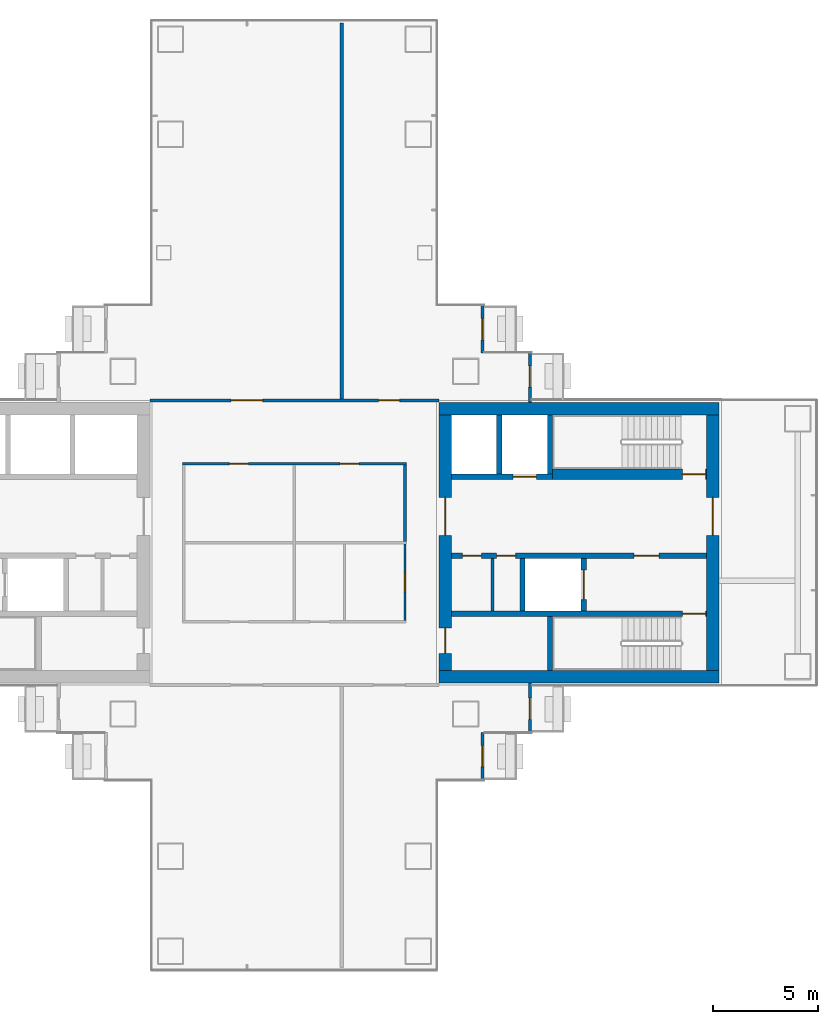
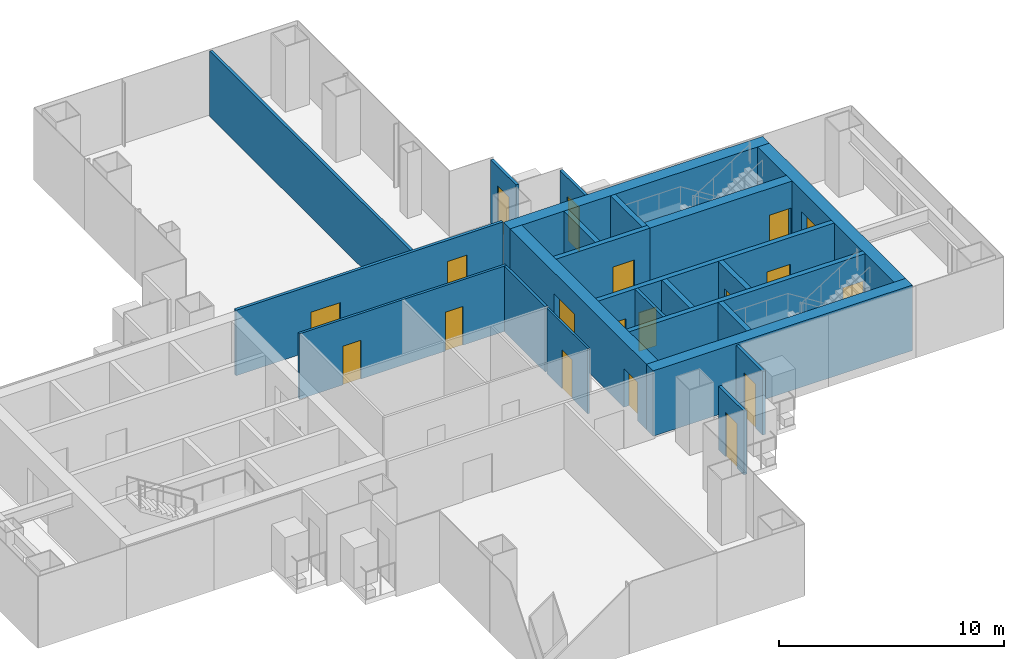
# One storey, part 14 of 19: 23 walls, 19 doors, 19 openings.
"""IFC4 building model written with IfcOpenShell, lengths in metres."""

from ifc_helpers import new_model, si_unit, direction, frame, frame_2d, origin, place, context, subcontext, project, spatial, rectangle, extrude, material, layer, layer_set, type_object, element, fill, save


model = new_model("IFC4")

# Units and contexts
model_context = context("Model", 3, precision=1e-05, world=origin(), true_north=direction((0.0, 1.0)))
body_context = subcontext(model_context, "Body", "Model", "MODEL_VIEW")
ifc_project = project(units=[si_unit("LENGTHUNIT", "METRE"), si_unit("AREAUNIT", "SQUARE_METRE"), si_unit("VOLUMEUNIT", "CUBIC_METRE"), si_unit("PLANEANGLEUNIT", "RADIAN"), si_unit("MASSUNIT", "GRAM", prefix="KILO")], contexts=[model_context])

# Site, building, storey
site_placement = place(None, origin())
site = spatial("IfcSite", under=ifc_project, at=site_placement, CompositionType="ELEMENT")
building_placement = place(site_placement, origin())
building = spatial("IfcBuilding", under=site, at=building_placement, Name="Shamsa Quay Exchange Towers", CompositionType="ELEMENT")
storey_placement = place(building_placement, frame((0.0, 0.0, 97.5)))
storey = spatial("IfcBuildingStorey", under=building, at=storey_placement, Name="L22", CompositionType="ELEMENT", Elevation=97.5)

# Wall, opening, door
ifc_material_1 = material(Name="Aluminium EN AW-6063 T6, black anodised, with black enamelled glass infill", Category="aluminium")
ifc_layer_1 = layer(ifc_material_1, 0.14990234375)
ifc_layer_set_1 = layer_set([ifc_layer_1], Name="BALCONY DOOR BAY WALL 150")
wall_type_1 = type_object("IfcWallType", Name="BALCONY DOOR BAY WALL 150", PredefinedType="SOLIDWALL", material=ifc_layer_set_1)
wall_1_placement = place(storey_placement, frame((42.675048828125, 11.25, 0.0), z_axis=(0.0, 0.0, 1.0), x_axis=(0.0, -1.0, 0.0)))
wall_1 = element("IfcWall", 1, at=wall_1_placement, inside=storey, type_object=wall_type_1, Name="Door bay T2-PKES L22", PredefinedType="SOLIDWALL", context=body_context, shape_type="SweptSolid", body=[
    extrude(rectangle(XDim=2.25, YDim=0.14990234375, at=frame_2d((1.125, 0.0))), origin(), (0.0, 0.0, 1.0), 3.449951171875),
])
opening_1_placement = place(wall_1_placement, frame((0.625, 0.0, 0.0)))
opening_1 = element("IfcOpeningElement", 2, at=opening_1_placement, cuts=wall_1, Name="Opening XD139", PredefinedType="OPENING", context=body_context, shape_type="SweptSolid", body=[
    extrude(rectangle(XDim=1.0, YDim=2.39990234375, at=frame_2d((0.5, 1.199951171875))), frame((0.0, 0.0849609375, 0.0), z_axis=(0.0, -1.0, 0.0), x_axis=(1.0, 0.0, 0.0)), (0.0, 0.0, 1.0), 0.169921875),
])
ifc_material_2 = material(Name="Aluminium EN AW-6063 T6, black anodised, with laminated glass leaf", Category="aluminium")
door_type_1 = type_object("IfcDoorType", Name="BALCONY DOOR 1000x2400", OperationType="SINGLE_SWING_LEFT", PredefinedType="DOOR", material=ifc_material_2)
door_1_placement = place(opening_1_placement, origin())
door_1 = element("IfcDoor", 3, at=door_1_placement, inside=storey, type_object=door_type_1, Name="Balcony door T2-PKES L22", OperationType="SINGLE_SWING_RIGHT", OverallHeight=2.39990234375, OverallWidth=1.0, PredefinedType="DOOR", context=body_context, shape_type="SweptSolid", body=[
    extrude(rectangle(XDim=1.0, YDim=2.39990234375, at=frame_2d((0.5, 1.199951171875))), frame((0.0, 0.02490234375, 0.0), z_axis=(0.0, -1.0, 0.0), x_axis=(1.0, 0.0, 0.0)), (0.0, 0.0, 1.0), 0.050048828125),
])
fill(opening_1, door_1)

wall_2_placement = place(storey_placement, frame((44.925048828125, 9.0, 0.0), z_axis=(0.0, 0.0, 1.0), x_axis=(0.0, -1.0, 0.0)))
wall_2 = element("IfcWall", 4, at=wall_2_placement, inside=storey, type_object=wall_type_1, Name="Door bay T2-PKES L22", PredefinedType="SOLIDWALL", context=body_context, shape_type="SweptSolid", body=[
    extrude(rectangle(XDim=2.35693359375, YDim=0.14990234375, at=frame_2d((1.178466796875, 0.0))), origin(), (0.0, 0.0, 1.0), 3.449951171875),
])
opening_2_placement = place(wall_2_placement, frame((0.625, 0.0, 0.0)))
opening_2 = element("IfcOpeningElement", 5, at=opening_2_placement, cuts=wall_2, Name="Opening XD140", PredefinedType="OPENING", context=body_context, shape_type="SweptSolid", body=[
    extrude(rectangle(XDim=1.0, YDim=2.39990234375, at=frame_2d((0.5, 1.199951171875))), frame((0.0, 0.0849609375, 0.0), z_axis=(0.0, -1.0, 0.0), x_axis=(1.0, 0.0, 0.0)), (0.0, 0.0, 1.0), 0.169921875),
])
door_2_placement = place(opening_2_placement, origin())
door_2 = element("IfcDoor", 6, at=door_2_placement, inside=storey, type_object=door_type_1, Name="Balcony door T2-PKES L22", OperationType="SINGLE_SWING_LEFT", OverallHeight=2.39990234375, OverallWidth=1.0, PredefinedType="DOOR", context=body_context, shape_type="SweptSolid", body=[
    extrude(rectangle(XDim=1.0, YDim=2.39990234375, at=frame_2d((0.5, 1.199951171875))), frame((0.0, 0.02490234375, 0.0), z_axis=(0.0, -1.0, 0.0), x_axis=(1.0, 0.0, 0.0)), (0.0, 0.0, 1.0), 0.050048828125),
])
fill(opening_2, door_2)

wall_3_placement = place(storey_placement, frame((42.675048828125, -9.0, 0.0), z_axis=(0.0, 0.0, 1.0), x_axis=(0.0, -1.0, 0.0)))
wall_3 = element("IfcWall", 7, at=wall_3_placement, inside=storey, type_object=wall_type_1, Name="Door bay T2-PKWS L22", PredefinedType="SOLIDWALL", context=body_context, shape_type="SweptSolid", body=[
    extrude(rectangle(XDim=2.25, YDim=0.14990234375, at=frame_2d((1.125, 0.0))), origin(), (0.0, 0.0, 1.0), 3.449951171875),
])
opening_3_placement = place(wall_3_placement, frame((0.625, 0.0, 0.0)))
opening_3 = element("IfcOpeningElement", 8, at=opening_3_placement, cuts=wall_3, Name="Opening XD143", PredefinedType="OPENING", context=body_context, shape_type="SweptSolid", body=[
    extrude(rectangle(XDim=1.0, YDim=2.39990234375, at=frame_2d((0.5, 1.199951171875))), frame((0.0, 0.0849609375, 0.0), z_axis=(0.0, -1.0, 0.0), x_axis=(1.0, 0.0, 0.0)), (0.0, 0.0, 1.0), 0.169921875),
])
door_3_placement = place(opening_3_placement, origin())
door_3 = element("IfcDoor", 9, at=door_3_placement, inside=storey, type_object=door_type_1, Name="Balcony door T2-PKWS L22", OperationType="SINGLE_SWING_LEFT", OverallHeight=2.39990234375, OverallWidth=1.0, PredefinedType="DOOR", context=body_context, shape_type="SweptSolid", body=[
    extrude(rectangle(XDim=1.0, YDim=2.39990234375, at=frame_2d((0.5, 1.199951171875))), frame((0.0, 0.02490234375, 0.0), z_axis=(0.0, -1.0, 0.0), x_axis=(1.0, 0.0, 0.0)), (0.0, 0.0, 1.0), 0.050048828125),
])
fill(opening_3, door_3)

wall_4_placement = place(storey_placement, frame((44.925048828125, -6.64306640625, 0.0), z_axis=(0.0, 0.0, 1.0), x_axis=(0.0, -1.0, 0.0)))
wall_4 = element("IfcWall", 10, at=wall_4_placement, inside=storey, type_object=wall_type_1, Name="Door bay T2-PKWS L22", PredefinedType="SOLIDWALL", context=body_context, shape_type="SweptSolid", body=[
    extrude(rectangle(XDim=2.35693359375, YDim=0.14990234375, at=frame_2d((1.178466796875, 0.0))), origin(), (0.0, 0.0, 1.0), 3.449951171875),
])
opening_4_placement = place(wall_4_placement, frame((0.73193359375, 0.0, 0.0)))
opening_4 = element("IfcOpeningElement", 11, at=opening_4_placement, cuts=wall_4, Name="Opening XD144", PredefinedType="OPENING", context=body_context, shape_type="SweptSolid", body=[
    extrude(rectangle(XDim=1.0, YDim=2.39990234375, at=frame_2d((0.5, 1.199951171875))), frame((0.0, 0.0849609375, 0.0), z_axis=(0.0, -1.0, 0.0), x_axis=(1.0, 0.0, 0.0)), (0.0, 0.0, 1.0), 0.169921875),
])
door_4_placement = place(opening_4_placement, origin())
door_4 = element("IfcDoor", 12, at=door_4_placement, inside=storey, type_object=door_type_1, Name="Balcony door T2-PKWS L22", OperationType="SINGLE_SWING_RIGHT", OverallHeight=2.39990234375, OverallWidth=1.0, PredefinedType="DOOR", context=body_context, shape_type="SweptSolid", body=[
    extrude(rectangle(XDim=1.0, YDim=2.39990234375, at=frame_2d((0.5, 1.199951171875))), frame((0.0, 0.02490234375, 0.0), z_axis=(0.0, -1.0, 0.0), x_axis=(1.0, 0.0, 0.0)), (0.0, 0.0, 1.0), 0.050048828125),
])
fill(opening_4, door_4)

# Walls
ifc_material_3 = material(Name="Concrete C70/85", Category="concrete")
ifc_layer_2 = layer(ifc_material_3, 0.60009765625)
ifc_layer_set_2 = layer_set([ifc_layer_2], Name="CORE WALL 600 C70/85")
wall_type_2 = type_object("IfcWallType", Name="CORE WALL 600 C70/85", PredefinedType="SHEAR", material=ifc_layer_set_2)
for number, where, z_axis, x_axis, name in (
    (13, (53.89990234375, -6.35009765625, 0.0), (0.0, 0.0, 1.0), (-1.0, 0.0, 0.0), "Core wall T2B-R09-PS"),
    (14, (53.89990234375, 6.35009765625, 0.0), (0.0, 0.0, 1.0), (-1.0, 0.0, 0.0), "Core wall T2B-R09-PN"),
):
    element("IfcWall", number, at=place(storey_placement, frame(where, z_axis=z_axis, x_axis=x_axis)), inside=storey, type_object=wall_type_2, Name=name, PredefinedType="SHEAR", context=body_context, shape_type="SweptSolid", body=[
        extrude(rectangle(XDim=13.2998046875, YDim=0.60009765625, at=frame_2d((6.64990234375, 0.0))), origin(), (0.0, 0.0, 1.0), 3.550048828125),
    ])

# Wall, opening, door
wall_5_placement = place(storey_placement, frame((53.60009765625, -6.050048828125, 0.0), z_axis=(0.0, 0.0, 1.0), x_axis=(0.0, 1.0, 0.0)))
wall_5 = element("IfcWall", 15, at=wall_5_placement, inside=storey, type_object=wall_type_2, Name="Core wall T2B-R09-PF", PredefinedType="SHEAR", context=body_context, shape_type="SweptSolid", body=[
    extrude(rectangle(XDim=12.10009765625, YDim=0.60009765625, at=frame_2d((6.050048828125, 0.0))), origin(), (0.0, 0.0, 1.0), 3.550048828125),
])
opening_5_placement = place(wall_5_placement, frame((6.39990234375, 0.0, 0.0)))
opening_5 = element("IfcOpeningElement", 16, at=opening_5_placement, cuts=wall_5, Name="Opening T2B-R09-LBD01", PredefinedType="OPENING", context=body_context, shape_type="SweptSolid", body=[
    extrude(rectangle(XDim=1.800048828125, YDim=2.39990234375, at=frame_2d((0.89990234375, 1.199951171875))), frame((0.0, 0.31005859375, 0.0), z_axis=(0.0, -1.0, 0.0), x_axis=(1.0, 0.0, 0.0)), (0.0, 0.0, 1.0), 0.6201171875),
])
ifc_material_4 = material(Name="Steel, fire rated", Category="steel")
door_type_2 = type_object("IfcDoorType", Name="LIFT LOBBY DOOR PAIR 1800", OperationType="DOUBLE_DOOR_SINGLE_SWING", PredefinedType="DOOR", material=ifc_material_4)
door_5_placement = place(opening_5_placement, origin())
door_5 = element("IfcDoor", 17, at=door_5_placement, inside=storey, type_object=door_type_2, Name="T2B-R09-LBD01", OperationType="DOUBLE_DOOR_SINGLE_SWING", OverallHeight=2.39990234375, OverallWidth=1.800048828125, PredefinedType="DOOR", context=body_context, shape_type="SweptSolid", body=[
    extrude(rectangle(XDim=1.800048828125, YDim=2.39990234375, at=frame_2d((0.89990234375, 1.199951171875))), frame((0.0, 0.02490234375, 0.0), z_axis=(0.0, -1.0, 0.0), x_axis=(1.0, 0.0, 0.0)), (0.0, 0.0, 1.0), 0.050048828125),
])
fill(opening_5, door_5)

# Wall, openings, doors
wall_6_placement = place(storey_placement, frame((40.89990234375, -6.050048828125, 0.0), z_axis=(0.0, 0.0, 1.0), x_axis=(0.0, 1.0, 0.0)))
wall_6 = element("IfcWall", 18, at=wall_6_placement, inside=storey, type_object=wall_type_2, Name="Core wall T2B-R09-PB", PredefinedType="SHEAR", context=body_context, shape_type="SweptSolid", body=[
    extrude(rectangle(XDim=12.10009765625, YDim=0.60009765625, at=frame_2d((6.050048828125, 0.0))), origin(), (0.0, 0.0, 1.0), 3.550048828125),
])
opening_6_placement = place(wall_6_placement, frame((0.800048828125, 0.0, 0.0)))
opening_6 = element("IfcOpeningElement", 19, at=opening_6_placement, cuts=wall_6, Name="Opening T2B-R09-RD02", PredefinedType="OPENING", context=body_context, shape_type="SweptSolid", body=[
    extrude(rectangle(XDim=1.199951171875, YDim=2.10009765625, at=frame_2d((0.60009765625, 1.050048828125))), frame((0.0, 0.31005859375, 0.0), z_axis=(0.0, -1.0, 0.0), x_axis=(1.0, 0.0, 0.0)), (0.0, 0.0, 1.0), 0.6201171875),
])
opening_7_placement = place(wall_6_placement, frame((6.39990234375, 0.0, 0.0)))
opening_7 = element("IfcOpeningElement", 20, at=opening_7_placement, cuts=wall_6, Name="Opening T2B-R09-LBD03", PredefinedType="OPENING", context=body_context, shape_type="SweptSolid", body=[
    extrude(rectangle(XDim=1.800048828125, YDim=2.39990234375, at=frame_2d((0.89990234375, 1.199951171875))), frame((0.0, 0.31005859375, 0.0), z_axis=(0.0, -1.0, 0.0), x_axis=(1.0, 0.0, 0.0)), (0.0, 0.0, 1.0), 0.6201171875),
])
door_6_placement = place(opening_7_placement, origin())
door_6 = element("IfcDoor", 21, at=door_6_placement, inside=storey, type_object=door_type_2, Name="T2B-R09-LBD03", OperationType="DOUBLE_DOOR_SINGLE_SWING", OverallHeight=2.39990234375, OverallWidth=1.800048828125, PredefinedType="DOOR", context=body_context, shape_type="SweptSolid", body=[
    extrude(rectangle(XDim=1.800048828125, YDim=2.39990234375, at=frame_2d((0.89990234375, 1.199951171875))), frame((0.0, 0.02490234375, 0.0), z_axis=(0.0, -1.0, 0.0), x_axis=(1.0, 0.0, 0.0)), (0.0, 0.0, 1.0), 0.050048828125),
])
fill(opening_7, door_6)
door_type_3 = type_object("IfcDoorType", Name="RISER ACCESS DOOR 1200", OperationType="SINGLE_SWING_LEFT", PredefinedType="DOOR", material=ifc_material_4)
door_7_placement = place(opening_6_placement, origin())
door_7 = element("IfcDoor", 22, at=door_7_placement, inside=storey, type_object=door_type_3, Name="T2B-R09-RD02", OperationType="SINGLE_SWING_LEFT", OverallHeight=2.10009765625, OverallWidth=1.199951171875, PredefinedType="DOOR", context=body_context, shape_type="SweptSolid", body=[
    extrude(rectangle(XDim=1.199951171875, YDim=2.10009765625, at=frame_2d((0.60009765625, 1.050048828125))), frame((0.0, 0.02490234375, 0.0), z_axis=(0.0, -1.0, 0.0), x_axis=(1.0, 0.0, 0.0)), (0.0, 0.0, 1.0), 0.050048828125),
])
fill(opening_6, door_7)

# Wall
ifc_material_5 = material(Name="Gypsum board on steel studs, EI 60", Category="steel")
ifc_layer_3 = layer(ifc_material_5, 0.14990234375)
ifc_layer_set_3 = layer_set([ifc_layer_3], Name="FIRE PARTITION 150")
wall_type_3 = type_object("IfcWallType", Name="FIRE PARTITION 150", PredefinedType="PARTITIONING", material=ifc_layer_set_3)
wall_7_placement = place(storey_placement, frame((43.14990234375, -3.25, 0.0), z_axis=(0.0, 0.0, 1.0), x_axis=(0.0, 1.0, 0.0)))
element("IfcWall", 23, at=wall_7_placement, inside=storey, type_object=wall_type_3, Name="Partition T2B-R09-EC0", PredefinedType="PARTITIONING", context=body_context, shape_type="SweptSolid", body=[
    extrude(rectangle(XDim=2.5, YDim=0.14990234375, at=frame_2d((1.25, 0.0))), origin(), (0.0, 0.0, 1.0), 3.550048828125),
])

# Wall, openings, doors
ifc_material_6 = material(Name="Laminated fire-resisting glass in a metal frame", Category="glass")
ifc_layer_4 = layer(ifc_material_6, 0.125)
ifc_layer_set_4 = layer_set([ifc_layer_4], Name="Glazed partition 125 mm EI 60")
wall_type_4 = type_object("IfcWallType", Name="Glazed partition 125 mm EI 60", PredefinedType="PARTITIONING", material=ifc_layer_set_4)
wall_8_placement = place(storey_placement, frame((39.0625, 3.75, 0.0), z_axis=(0.0, 0.0, 1.0), x_axis=(-1.0, 0.0, 0.0)))
wall_8 = element("IfcWall", 24, at=wall_8_placement, inside=storey, type_object=wall_type_4, Name="Partition T2-R09-W02", PredefinedType="PARTITIONING", context=body_context, shape_type="SweptSolid", body=[
    extrude(rectangle(XDim=10.625, YDim=0.125, at=frame_2d((5.3125, 0.0))), origin(), (0.0, 0.0, 1.0), 3.550048828125),
])
opening_8_placement = place(wall_8_placement, frame((7.487548828125, 0.0, 0.0)))
opening_8 = element("IfcOpeningElement", 25, at=opening_8_placement, cuts=wall_8, Name="Opening T2-R09-D06", PredefinedType="OPENING", context=body_context, shape_type="SweptSolid", body=[
    extrude(rectangle(XDim=0.89990234375, YDim=2.10009765625, at=frame_2d((0.449951171875, 1.050048828125))), frame((0.0, 0.072509765625, 0.0), z_axis=(0.0, -1.0, 0.0), x_axis=(1.0, 0.0, 0.0)), (0.0, 0.0, 1.0), 0.14501953125),
])
opening_9_placement = place(wall_8_placement, frame((2.237548828125, 0.0, 0.0)))
opening_9 = element("IfcOpeningElement", 26, at=opening_9_placement, cuts=wall_8, Name="Opening T2-R09-D07", PredefinedType="OPENING", context=body_context, shape_type="SweptSolid", body=[
    extrude(rectangle(XDim=0.89990234375, YDim=2.10009765625, at=frame_2d((0.449951171875, 1.050048828125))), frame((0.0, 0.072509765625, 0.0), z_axis=(0.0, -1.0, 0.0), x_axis=(1.0, 0.0, 0.0)), (0.0, 0.0, 1.0), 0.14501953125),
])
ifc_material_7 = material(Name="Timber door leaf in a metal frame", Category="wood")
door_type_4 = type_object("IfcDoorType", Name="Door 900x2100 FD30S", OperationType="NOTDEFINED", PredefinedType="DOOR", material=ifc_material_7)
door_8_placement = place(opening_8_placement, origin())
door_8 = element("IfcDoor", 27, at=door_8_placement, inside=storey, type_object=door_type_4, Name="Door T2-R09-D06", OperationType="SINGLE_SWING_LEFT", OverallHeight=2.10009765625, OverallWidth=0.89990234375, PredefinedType="DOOR", context=body_context, shape_type="SweptSolid", body=[
    extrude(rectangle(XDim=0.89990234375, YDim=2.10009765625, at=frame_2d((0.449951171875, 1.050048828125))), frame((0.0, 0.02490234375, 0.0), z_axis=(0.0, -1.0, 0.0), x_axis=(1.0, 0.0, 0.0)), (0.0, 0.0, 1.0), 0.050048828125),
])
fill(opening_8, door_8)
door_9_placement = place(opening_9_placement, origin())
door_9 = element("IfcDoor", 28, at=door_9_placement, inside=storey, type_object=door_type_4, Name="Door T2-R09-D07", OperationType="SINGLE_SWING_RIGHT", OverallHeight=2.10009765625, OverallWidth=0.89990234375, PredefinedType="DOOR", context=body_context, shape_type="SweptSolid", body=[
    extrude(rectangle(XDim=0.89990234375, YDim=2.10009765625, at=frame_2d((0.449951171875, 1.050048828125))), frame((0.0, 0.02490234375, 0.0), z_axis=(0.0, -1.0, 0.0), x_axis=(1.0, 0.0, 0.0)), (0.0, 0.0, 1.0), 0.050048828125),
])
fill(opening_9, door_9)

# Wall
wall_9_placement = place(storey_placement, frame((39.0, 0.0625, 0.0), z_axis=(0.0, 0.0, 1.0), x_axis=(0.0, 1.0, 0.0)))
element("IfcWall", 29, at=wall_9_placement, inside=storey, type_object=wall_type_4, Name="Partition T2-R09-W04", PredefinedType="PARTITIONING", context=body_context, shape_type="SweptSolid", body=[
    extrude(rectangle(XDim=3.625, YDim=0.125, at=frame_2d((1.8125, 0.0))), origin(), (0.0, 0.0, 1.0), 3.550048828125),
])

# Wall, opening, door
ifc_material_8 = material(Name="Gypsum board partition on metal studs")
ifc_layer_5 = layer(ifc_material_8, 0.10009765625)
ifc_layer_set_5 = layer_set([ifc_layer_5], Name="Partition 100 mm NOT RATED")
wall_type_5 = type_object("IfcWallType", Name="Partition 100 mm NOT RATED", PredefinedType="PARTITIONING", material=ifc_layer_set_5)
wall_10_placement = place(storey_placement, frame((39.0, -3.699951171875, 0.0), z_axis=(0.0, 0.0, 1.0), x_axis=(0.0, 1.0, 0.0)))
wall_10 = element("IfcWall", 30, at=wall_10_placement, inside=storey, type_object=wall_type_5, Name="Partition T2-R09-W05", PredefinedType="PARTITIONING", context=body_context, shape_type="SweptSolid", body=[
    extrude(rectangle(XDim=3.637451171875, YDim=0.10009765625, at=frame_2d((1.81884765625, 0.0))), origin(), (0.0, 0.0, 1.0), 3.550048828125),
])
opening_10_placement = place(wall_10_placement, frame((1.375, 0.0, 0.0)))
opening_10 = element("IfcOpeningElement", 31, at=opening_10_placement, cuts=wall_10, Name="Opening T2-R09-D04", PredefinedType="OPENING", context=body_context, shape_type="SweptSolid", body=[
    extrude(rectangle(XDim=0.89990234375, YDim=2.10009765625, at=frame_2d((0.449951171875, 1.050048828125))), frame((0.0, 0.06005859375, 0.0), z_axis=(0.0, -1.0, 0.0), x_axis=(1.0, 0.0, 0.0)), (0.0, 0.0, 1.0), 0.1201171875),
])
door_type_5 = type_object("IfcDoorType", Name="Door 900x2100 NOT RATED", OperationType="NOTDEFINED", PredefinedType="DOOR", material=ifc_material_7)
door_10_placement = place(opening_10_placement, origin())
door_10 = element("IfcDoor", 32, at=door_10_placement, inside=storey, type_object=door_type_5, Name="Door T2-R09-D04", OperationType="SINGLE_SWING_RIGHT", OverallHeight=2.10009765625, OverallWidth=0.89990234375, PredefinedType="DOOR", context=body_context, shape_type="SweptSolid", body=[
    extrude(rectangle(XDim=0.89990234375, YDim=2.10009765625, at=frame_2d((0.449951171875, 1.050048828125))), frame((0.0, 0.02490234375, 0.0), z_axis=(0.0, -1.0, 0.0), x_axis=(1.0, 0.0, 0.0)), (0.0, 0.0, 1.0), 0.050048828125),
])
fill(opening_10, door_10)

# Wall, openings, doors
ifc_layer_6 = layer(ifc_material_8, 0.14990234375)
ifc_layer_set_6 = layer_set([ifc_layer_6], Name="Partition 150 mm EI 60")
wall_type_6 = type_object("IfcWallType", Name="Partition 150 mm EI 60", PredefinedType="PARTITIONING", material=ifc_layer_set_6)
wall_11_placement = place(storey_placement, frame((26.89990234375, 6.75, 0.0)))
wall_11 = element("IfcWall", 33, at=wall_11_placement, inside=storey, type_object=wall_type_6, Name="Partition T2-R09-W07", PredefinedType="PARTITIONING", context=body_context, shape_type="SweptSolid", body=[
    extrude(rectangle(XDim=13.7001953125, YDim=0.14990234375, at=frame_2d((6.85009765625, 0.0))), origin(), (0.0, 0.0, 1.0), 3.550048828125),
])
opening_11_placement = place(wall_11_placement, frame((10.85009765625, 0.0, 0.0)))
opening_11 = element("IfcOpeningElement", 34, at=opening_11_placement, cuts=wall_11, Name="Opening T2-R09-D01", PredefinedType="OPENING", context=body_context, shape_type="SweptSolid", body=[
    extrude(rectangle(XDim=1.0, YDim=2.39990234375, at=frame_2d((0.5, 1.199951171875))), frame((0.0, 0.0849609375, 0.0), z_axis=(0.0, -1.0, 0.0), x_axis=(1.0, 0.0, 0.0)), (0.0, 0.0, 1.0), 0.169921875),
])
opening_12_placement = place(wall_11_placement, frame((3.85009765625, 0.0, 0.0)))
opening_12 = element("IfcOpeningElement", 35, at=opening_12_placement, cuts=wall_11, Name="Opening T2-R09-D02", PredefinedType="OPENING", context=body_context, shape_type="SweptSolid", body=[
    extrude(rectangle(XDim=1.5, YDim=2.10009765625, at=frame_2d((0.75, 1.050048828125))), frame((0.0, 0.0849609375, 0.0), z_axis=(0.0, -1.0, 0.0), x_axis=(1.0, 0.0, 0.0)), (0.0, 0.0, 1.0), 0.169921875),
])
door_type_6 = type_object("IfcDoorType", Name="Door 1000x2400 FD30S", OperationType="NOTDEFINED", PredefinedType="DOOR", material=ifc_material_7)
door_11_placement = place(opening_11_placement, origin())
door_11 = element("IfcDoor", 36, at=door_11_placement, inside=storey, type_object=door_type_6, Name="Door T2-R09-D01", OperationType="SINGLE_SWING_LEFT", OverallHeight=2.39990234375, OverallWidth=1.0, PredefinedType="DOOR", context=body_context, shape_type="SweptSolid", body=[
    extrude(rectangle(XDim=1.0, YDim=2.39990234375, at=frame_2d((0.5, 1.199951171875))), frame((0.0, 0.02490234375, 0.0), z_axis=(0.0, -1.0, 0.0), x_axis=(1.0, 0.0, 0.0)), (0.0, 0.0, 1.0), 0.050048828125),
])
fill(opening_11, door_11)
door_type_7 = type_object("IfcDoorType", Name="Door 1500x2100 FD30S pair", OperationType="NOTDEFINED", PredefinedType="DOOR", material=ifc_material_7)
door_12_placement = place(opening_12_placement, origin())
door_12 = element("IfcDoor", 37, at=door_12_placement, inside=storey, type_object=door_type_7, Name="Door T2-R09-D02", OperationType="DOUBLE_DOOR_SINGLE_SWING", OverallHeight=2.10009765625, OverallWidth=1.5, PredefinedType="DOOR", context=body_context, shape_type="SweptSolid", body=[
    extrude(rectangle(XDim=1.5, YDim=2.10009765625, at=frame_2d((0.75, 1.050048828125))), frame((0.0, 0.02490234375, 0.0), z_axis=(0.0, -1.0, 0.0), x_axis=(1.0, 0.0, 0.0)), (0.0, 0.0, 1.0), 0.050048828125),
])
fill(opening_12, door_12)

# Wall
wall_12_placement = place(storey_placement, frame((36.0, 24.655029296875, 0.0), z_axis=(0.0, 0.0, 1.0), x_axis=(0.0, -1.0, 0.0)))
element("IfcWall", 38, at=wall_12_placement, inside=storey, type_object=wall_type_6, Name="Partition T2-R09-W13", PredefinedType="PARTITIONING", context=body_context, shape_type="SweptSolid", body=[
    extrude(rectangle(XDim=17.830078125, YDim=0.14990234375, at=frame_2d((8.9150390625, 0.0))), origin(), (0.0, 0.0, 1.0), 3.550048828125),
])

# Wall, opening, door
ifc_material_9 = material(Name="Concrete C50/60", Category="concrete")
ifc_layer_7 = layer(ifc_material_9, 0.25)
ifc_layer_set_7 = layer_set([ifc_layer_7], Name="SHAFT WALL 250 C50/60")
wall_type_7 = type_object("IfcWallType", Name="SHAFT WALL 250 C50/60", PredefinedType="SHEAR", material=ifc_layer_set_7)
wall_13_placement = place(storey_placement, frame((53.300048828125, -3.375, 0.0), z_axis=(0.0, 0.0, 1.0), x_axis=(-1.0, 0.0, 0.0)))
wall_13 = element("IfcWall", 39, at=wall_13_placement, inside=storey, type_object=wall_type_7, Name="Shaft wall T2B-R09-STL", PredefinedType="SHEAR", context=body_context, shape_type="SweptSolid", body=[
    extrude(rectangle(XDim=12.10009765625, YDim=0.25, at=frame_2d((6.050048828125, 0.0))), origin(), (0.0, 0.0, 1.0), 3.550048828125),
])
opening_13_placement = place(wall_13_placement, frame((0.050048828125, 0.0, 0.0)))
opening_13 = element("IfcOpeningElement", 40, at=opening_13_placement, cuts=wall_13, Name="Opening T2B-R09-SD04", PredefinedType="OPENING", context=body_context, shape_type="SweptSolid", body=[
    extrude(rectangle(XDim=1.10009765625, YDim=2.10009765625, at=frame_2d((0.550048828125, 1.050048828125))), frame((0.0, 0.135009765625, 0.0), z_axis=(0.0, -1.0, 0.0), x_axis=(1.0, 0.0, 0.0)), (0.0, 0.0, 1.0), 0.27001953125),
])
door_type_8 = type_object("IfcDoorType", Name="STAIR DOOR 1100", OperationType="SINGLE_SWING_LEFT", PredefinedType="DOOR", material=ifc_material_4)
door_13_placement = place(opening_13_placement, origin())
door_13 = element("IfcDoor", 41, at=door_13_placement, inside=storey, type_object=door_type_8, Name="T2B-R09-SD04", OperationType="SINGLE_SWING_LEFT", OverallHeight=2.10009765625, OverallWidth=1.10009765625, PredefinedType="DOOR", context=body_context, shape_type="SweptSolid", body=[
    extrude(rectangle(XDim=1.10009765625, YDim=2.10009765625, at=frame_2d((0.550048828125, 1.050048828125))), frame((0.0, 0.02490234375, 0.0), z_axis=(0.0, -1.0, 0.0), x_axis=(1.0, 0.0, 0.0)), (0.0, 0.0, 1.0), 0.050048828125),
])
fill(opening_13, door_13)

# Wall
wall_14_placement = place(storey_placement, frame((45.875, -6.050048828125, 0.0), z_axis=(0.0, 0.0, 1.0), x_axis=(0.0, 1.0, 0.0)))
element("IfcWall", 42, at=wall_14_placement, inside=storey, type_object=wall_type_7, Name="Shaft wall T2B-R09-STF", PredefinedType="SHEAR", context=body_context, shape_type="SweptSolid", body=[
    extrude(rectangle(XDim=2.550048828125, YDim=0.25, at=frame_2d((1.27490234375, 0.0))), origin(), (0.0, 0.0, 1.0), 3.550048828125),
])

# Wall, openings, doors
wall_15_placement = place(storey_placement, frame((53.300048828125, -0.625, 0.0), z_axis=(0.0, 0.0, 1.0), x_axis=(-1.0, 0.0, 0.0)))
wall_15 = element("IfcWall", 43, at=wall_15_placement, inside=storey, type_object=wall_type_7, Name="Shaft wall T2B-R09-B", PredefinedType="SHEAR", context=body_context, shape_type="SweptSolid", body=[
    extrude(rectangle(XDim=12.10009765625, YDim=0.25, at=frame_2d((6.050048828125, 0.0))), origin(), (0.0, 0.0, 1.0), 3.550048828125),
])
opening_14_placement = place(wall_15_placement, frame((2.25, 0.0, 0.0)))
opening_14 = element("IfcOpeningElement", 44, at=opening_14_placement, cuts=wall_15, Name="Opening T2B-R09-FD05", PredefinedType="OPENING", context=body_context, shape_type="SweptSolid", body=[
    extrude(rectangle(XDim=1.199951171875, YDim=2.10009765625, at=frame_2d((0.60009765625, 1.050048828125))), frame((0.0, 0.135009765625, 0.0), z_axis=(0.0, -1.0, 0.0), x_axis=(1.0, 0.0, 0.0)), (0.0, 0.0, 1.0), 0.27001953125),
])
opening_15_placement = place(wall_15_placement, frame((9.050048828125, 0.0, 0.0)))
opening_15 = element("IfcOpeningElement", 45, at=opening_15_placement, cuts=wall_15, Name="Opening T2B-R09-SV06", PredefinedType="OPENING", context=body_context, shape_type="SweptSolid", body=[
    extrude(rectangle(XDim=0.89990234375, YDim=2.10009765625, at=frame_2d((0.449951171875, 1.050048828125))), frame((0.0, 0.135009765625, 0.0), z_axis=(0.0, -1.0, 0.0), x_axis=(1.0, 0.0, 0.0)), (0.0, 0.0, 1.0), 0.27001953125),
])
opening_16_placement = place(wall_15_placement, frame((10.675048828125, 0.0, 0.0)))
opening_16 = element("IfcOpeningElement", 46, at=opening_16_placement, cuts=wall_15, Name="Opening T2B-R09-SV07", PredefinedType="OPENING", context=body_context, shape_type="SweptSolid", body=[
    extrude(rectangle(XDim=0.89990234375, YDim=2.10009765625, at=frame_2d((0.449951171875, 1.050048828125))), frame((0.0, 0.135009765625, 0.0), z_axis=(0.0, -1.0, 0.0), x_axis=(1.0, 0.0, 0.0)), (0.0, 0.0, 1.0), 0.27001953125),
])
door_type_9 = type_object("IfcDoorType", Name="FIRE SERVICE LOBBY DOOR 1200", OperationType="SINGLE_SWING_LEFT", PredefinedType="DOOR", material=ifc_material_4)
door_14_placement = place(opening_14_placement, origin())
door_14 = element("IfcDoor", 47, at=door_14_placement, inside=storey, type_object=door_type_9, Name="T2B-R09-FD05", OperationType="SINGLE_SWING_LEFT", OverallHeight=2.10009765625, OverallWidth=1.199951171875, PredefinedType="DOOR", context=body_context, shape_type="SweptSolid", body=[
    extrude(rectangle(XDim=1.199951171875, YDim=2.10009765625, at=frame_2d((0.60009765625, 1.050048828125))), frame((0.0, 0.02490234375, 0.0), z_axis=(0.0, -1.0, 0.0), x_axis=(1.0, 0.0, 0.0)), (0.0, 0.0, 1.0), 0.050048828125),
])
fill(opening_14, door_14)
door_type_10 = type_object("IfcDoorType", Name="SERVICE ROOM DOOR 900", OperationType="SINGLE_SWING_LEFT", PredefinedType="DOOR", material=ifc_material_4)
door_15_placement = place(opening_15_placement, origin())
door_15 = element("IfcDoor", 48, at=door_15_placement, inside=storey, type_object=door_type_10, Name="T2B-R09-SV06", OperationType="SINGLE_SWING_RIGHT", OverallHeight=2.10009765625, OverallWidth=0.89990234375, PredefinedType="DOOR", context=body_context, shape_type="SweptSolid", body=[
    extrude(rectangle(XDim=0.89990234375, YDim=2.10009765625, at=frame_2d((0.449951171875, 1.050048828125))), frame((0.0, 0.02490234375, 0.0), z_axis=(0.0, -1.0, 0.0), x_axis=(1.0, 0.0, 0.0)), (0.0, 0.0, 1.0), 0.050048828125),
])
fill(opening_15, door_15)
door_16_placement = place(opening_16_placement, origin())
door_16 = element("IfcDoor", 49, at=door_16_placement, inside=storey, type_object=door_type_10, Name="T2B-R09-SV07", OperationType="SINGLE_SWING_RIGHT", OverallHeight=2.10009765625, OverallWidth=0.89990234375, PredefinedType="DOOR", context=body_context, shape_type="SweptSolid", body=[
    extrude(rectangle(XDim=0.89990234375, YDim=2.10009765625, at=frame_2d((0.449951171875, 1.050048828125))), frame((0.0, 0.02490234375, 0.0), z_axis=(0.0, -1.0, 0.0), x_axis=(1.0, 0.0, 0.0)), (0.0, 0.0, 1.0), 0.050048828125),
])
fill(opening_16, door_16)

# Wall, opening, door
wall_16_placement = place(storey_placement, frame((47.47509765625, -3.25, 0.0), z_axis=(0.0, 0.0, 1.0), x_axis=(0.0, 1.0, 0.0)))
wall_16 = element("IfcWall", 50, at=wall_16_placement, inside=storey, type_object=wall_type_7, Name="Shaft wall T2B-R09-FFF", PredefinedType="SHEAR", context=body_context, shape_type="SweptSolid", body=[
    extrude(rectangle(XDim=2.5, YDim=0.25, at=frame_2d((1.25, 0.0))), origin(), (0.0, 0.0, 1.0), 3.550048828125),
])
opening_17_placement = place(wall_16_placement, frame((0.550048828125, 0.0, 0.0)))
opening_17 = element("IfcOpeningElement", 51, at=opening_17_placement, cuts=wall_16, Name="Opening T2B-R09-LDG08", PredefinedType="OPENING", context=body_context, shape_type="SweptSolid", body=[
    extrude(rectangle(XDim=1.39990234375, YDim=2.39990234375, at=frame_2d((0.699951171875, 1.199951171875))), frame((0.0, 0.135009765625, 0.0), z_axis=(0.0, -1.0, 0.0), x_axis=(1.0, 0.0, 0.0)), (0.0, 0.0, 1.0), 0.27001953125),
])
door_type_11 = type_object("IfcDoorType", Name="GOODS LIFT LANDING DOOR 1400", OperationType="SLIDING_TO_LEFT", PredefinedType="DOOR", material=ifc_material_4)
door_17_placement = place(opening_17_placement, origin())
door_17 = element("IfcDoor", 52, at=door_17_placement, inside=storey, type_object=door_type_11, Name="T2B-R09-LDG08", OperationType="SLIDING_TO_LEFT", OverallHeight=2.39990234375, OverallWidth=1.39990234375, PredefinedType="DOOR", context=body_context, shape_type="SweptSolid", body=[
    extrude(rectangle(XDim=1.39990234375, YDim=2.39990234375, at=frame_2d((0.699951171875, 1.199951171875))), frame((0.0, 0.02490234375, 0.0), z_axis=(0.0, -1.0, 0.0), x_axis=(1.0, 0.0, 0.0)), (0.0, 0.0, 1.0), 0.050048828125),
])
fill(opening_17, door_17)

# Wall
wall_17_placement = place(storey_placement, frame((44.574951171875, -3.25, 0.0), z_axis=(0.0, 0.0, 1.0), x_axis=(0.0, 1.0, 0.0)))
element("IfcWall", 53, at=wall_17_placement, inside=storey, type_object=wall_type_7, Name="Shaft wall T2B-R09-FFB", PredefinedType="SHEAR", context=body_context, shape_type="SweptSolid", body=[
    extrude(rectangle(XDim=2.5, YDim=0.25, at=frame_2d((1.25, 0.0))), origin(), (0.0, 0.0, 1.0), 3.550048828125),
])

# Wall, opening, door
wall_18_placement = place(storey_placement, frame((46.0, 3.125, 0.0), z_axis=(0.0, 0.0, 1.0), x_axis=(-1.0, 0.0, 0.0)))
wall_18 = element("IfcWall", 54, at=wall_18_placement, inside=storey, type_object=wall_type_7, Name="Shaft wall T2B-R09-N2", PredefinedType="SHEAR", context=body_context, shape_type="SweptSolid", body=[
    extrude(rectangle(XDim=4.800048828125, YDim=0.25, at=frame_2d((2.39990234375, 0.0))), origin(), (0.0, 0.0, 1.0), 3.550048828125),
])
opening_18_placement = place(wall_18_placement, frame((0.77490234375, 0.0, 0.0)))
opening_18 = element("IfcOpeningElement", 55, at=opening_18_placement, cuts=wall_18, Name="Opening T2B-R09-LD10", PredefinedType="OPENING", context=body_context, shape_type="SweptSolid", body=[
    extrude(rectangle(XDim=1.10009765625, YDim=2.10009765625, at=frame_2d((0.550048828125, 1.050048828125))), frame((0.0, 0.135009765625, 0.0), z_axis=(0.0, -1.0, 0.0), x_axis=(1.0, 0.0, 0.0)), (0.0, 0.0, 1.0), 0.27001953125),
])
door_type_12 = type_object("IfcDoorType", Name="LANDING DOOR 1100", OperationType="SLIDING_TO_LEFT", PredefinedType="DOOR", material=ifc_material_4)
door_18_placement = place(opening_18_placement, origin())
door_18 = element("IfcDoor", 56, at=door_18_placement, inside=storey, type_object=door_type_12, Name="T2B-R09-LD10", OperationType="SLIDING_TO_LEFT", OverallHeight=2.10009765625, OverallWidth=1.10009765625, PredefinedType="DOOR", context=body_context, shape_type="SweptSolid", body=[
    extrude(rectangle(XDim=1.10009765625, YDim=2.10009765625, at=frame_2d((0.550048828125, 1.050048828125))), frame((0.0, 0.02490234375, 0.0), z_axis=(0.0, -1.0, 0.0), x_axis=(1.0, 0.0, 0.0)), (0.0, 0.0, 1.0), 0.050048828125),
])
fill(opening_18, door_18)

# Walls
for number, where, z_axis, x_axis, name in (
    (57, (45.875, 3.25, 0.0), (0.0, 0.0, 1.0), (0.0, 1.0, 0.0), "Shaft wall T2B-R09-STF2"),
    (58, (43.47509765625, 3.25, 0.0), (0.0, 0.0, 1.0), (0.0, 1.0, 0.0), "Shaft wall T2B-R09-D0"),
):
    element("IfcWall", number, at=place(storey_placement, frame(where, z_axis=z_axis, x_axis=x_axis)), inside=storey, type_object=wall_type_7, Name=name, PredefinedType="SHEAR", context=body_context, shape_type="SweptSolid", body=[
        extrude(rectangle(XDim=2.800048828125, YDim=0.25, at=frame_2d((1.39990234375, 0.0))), origin(), (0.0, 0.0, 1.0), 3.550048828125),
    ])

# Wall, opening, door
ifc_layer_8 = layer(ifc_material_9, 0.5)
ifc_layer_set_8 = layer_set([ifc_layer_8], Name="SHAFT WALL 500 C50/60")
wall_type_8 = type_object("IfcWallType", Name="SHAFT WALL 500 C50/60", PredefinedType="SHEAR", material=ifc_layer_set_8)
wall_19_placement = place(storey_placement, frame((46.0, 3.25, 0.0)))
wall_19 = element("IfcWall", 59, at=wall_19_placement, inside=storey, type_object=wall_type_8, Name="Shaft wall T2B-R09-N", PredefinedType="SHEAR", context=body_context, shape_type="SweptSolid", body=[
    extrude(rectangle(XDim=7.300048828125, YDim=0.5, at=frame_2d((3.64990234375, 0.0))), origin(), (0.0, 0.0, 1.0), 3.550048828125),
])
opening_19_placement = place(wall_19_placement, frame((6.14990234375, 0.0, 0.0)))
opening_19 = element("IfcOpeningElement", 60, at=opening_19_placement, cuts=wall_19, Name="Opening T2B-R09-SD09", PredefinedType="OPENING", context=body_context, shape_type="SweptSolid", body=[
    extrude(rectangle(XDim=1.10009765625, YDim=2.10009765625, at=frame_2d((0.550048828125, 1.050048828125))), frame((0.0, 0.260009765625, 0.0), z_axis=(0.0, -1.0, 0.0), x_axis=(1.0, 0.0, 0.0)), (0.0, 0.0, 1.0), 0.52001953125),
])
door_19_placement = place(opening_19_placement, origin())
door_19 = element("IfcDoor", 61, at=door_19_placement, inside=storey, type_object=door_type_8, Name="T2B-R09-SD09", OperationType="SINGLE_SWING_RIGHT", OverallHeight=2.10009765625, OverallWidth=1.10009765625, PredefinedType="DOOR", context=body_context, shape_type="SweptSolid", body=[
    extrude(rectangle(XDim=1.10009765625, YDim=2.10009765625, at=frame_2d((0.550048828125, 1.050048828125))), frame((0.0, 0.02490234375, 0.0), z_axis=(0.0, -1.0, 0.0), x_axis=(1.0, 0.0, 0.0)), (0.0, 0.0, 1.0), 0.050048828125),
])
fill(opening_19, door_19)

save(model, "model.ifc")
